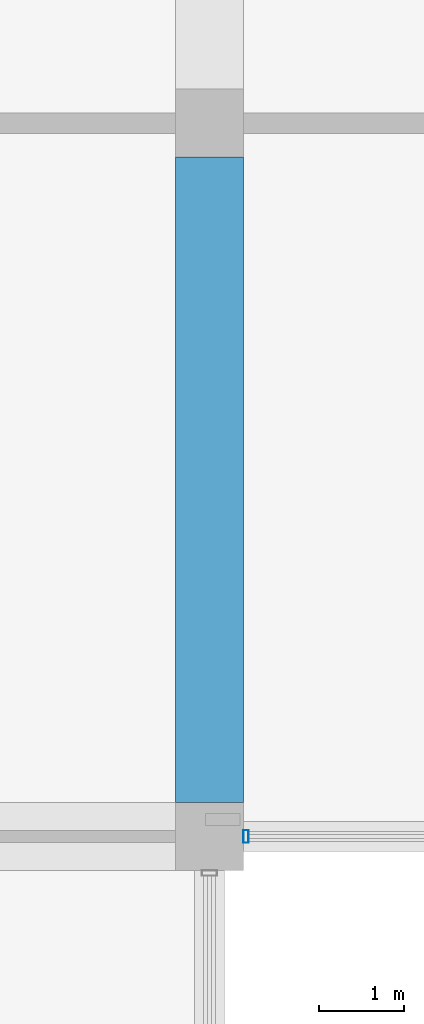
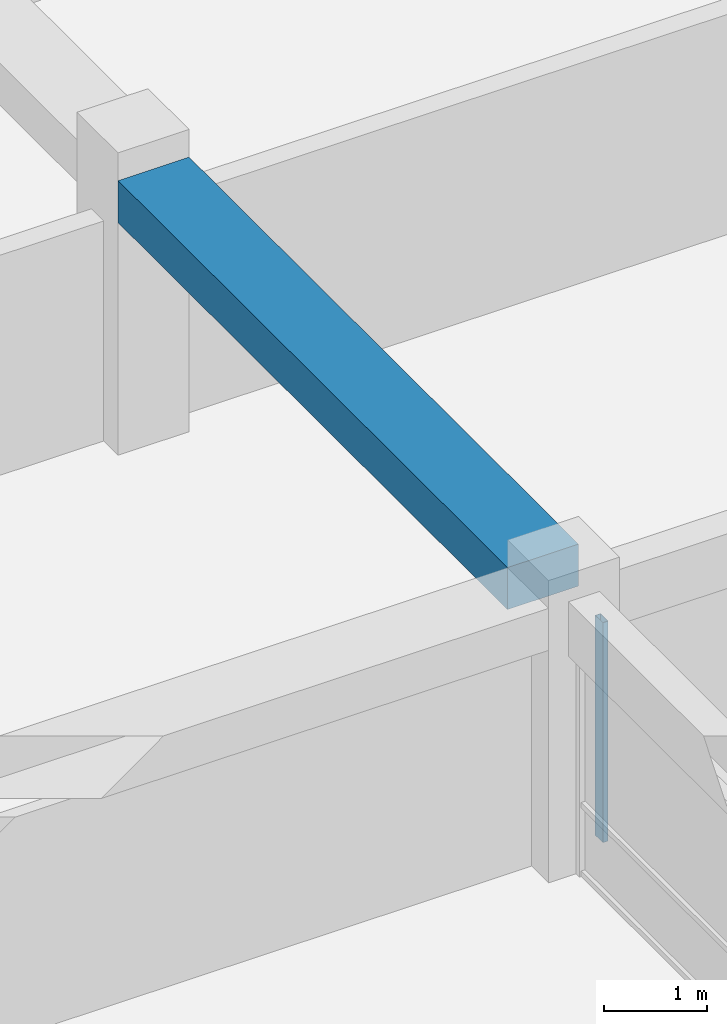
# One storey, part 11 of 50: 1 beam, 1 member, 1 element without a shape of its own.
"""IFC4 building model written with IfcOpenShell, lengths in metres."""

import ifcopenshell
import ifcopenshell.guid

model = None  # the IFC model being written
_history = None  # IfcOwnerHistory: only IFC2X3 demands one
_inside = {}  # id of a spatial element -> (the spatial element, [elements in it])
_under = {}  # id of a project, library or spatial element -> (it, [spatial elements below it])
_declared = {}  # id of a project -> (the project, [libraries it declares])
_typed = {}  # id of a type object -> (the type object, [elements of that type])
_made_of = {}  # id of a material, layer set ... -> (it, [elements and type objects made of it])


def new_model(schema):
    """Start an empty IFC model of exactly this schema.

    Asked for "IFC4X3", IfcOpenShell would pick the latest addendum, in which some entities
    have other attributes; the version numbers below select the first issue.
    IFC2X3 requires an IfcOwnerHistory on every rooted entity: one is made here for all.
    """
    global model, _history
    if schema == "IFC4X3":
        model = ifcopenshell.file(schema_version=(4, 3, 0, 0))
    else:
        model = ifcopenshell.file(schema=schema)
    _inside.clear()
    _under.clear()
    _declared.clear()
    _typed.clear()
    _made_of.clear()
    _history = None
    if model.schema == "IFC2X3":
        org = make("IfcOrganization", Name="unknown")
        user = make(
            "IfcPersonAndOrganization",
            ThePerson=make("IfcPerson", FamilyName="unknown"),
            TheOrganization=org,
        )
        app = make(
            "IfcApplication",
            ApplicationDeveloper=org,
            Version="unknown",
            ApplicationFullName="unknown",
            ApplicationIdentifier="unknown",
        )
        _history = make(
            "IfcOwnerHistory",
            OwningUser=user,
            OwningApplication=app,
            ChangeAction="ADDED",
            CreationDate=0,
        )
    return model


def make(cls, **values):
    """One entity of the class cls with the attributes given. An attribute that is None is left unset."""
    return model.create_entity(
        cls, **{name: value for name, value in values.items() if value is not None}
    )


def rooted(cls, **values):
    """An entity with a GlobalId (a new one), such as an element, a storey or a relation."""
    return make(cls, GlobalId=ifcopenshell.guid.new(), OwnerHistory=_history, **values)


def si_unit(unit_type, name, prefix=None):
    """IfcSIUnit, for example si_unit("LENGTHUNIT", "METRE", prefix="MILLI")."""
    return make("IfcSIUnit", UnitType=unit_type, Prefix=prefix, Name=name)


def assignment(units):
    """IfcUnitAssignment: the units of a project."""
    return None if units is None else make("IfcUnitAssignment", Units=units)


def point(xyz):
    """IfcCartesianPoint."""
    return None if xyz is None else make("IfcCartesianPoint", Coordinates=xyz)


def direction(xyz):
    """IfcDirection."""
    return None if xyz is None else make("IfcDirection", DirectionRatios=xyz)


def frame(location, z_axis=None, x_axis=None):
    """IfcAxis2Placement3D, a coordinate frame: its origin and axes. An axis left out is left unset."""
    return make(
        "IfcAxis2Placement3D",
        Location=point(location),
        Axis=direction(z_axis),
        RefDirection=direction(x_axis),
    )


def frame_2d(location, x_axis=None):
    """IfcAxis2Placement2D, a coordinate frame in the plane: its origin and x axis."""
    return make(
        "IfcAxis2Placement2D", Location=point(location), RefDirection=direction(x_axis)
    )


def origin():
    """The frame at (0, 0, 0) with its axes left unset."""
    return frame((0.0, 0.0, 0.0))


def origin_2d():
    """The frame at (0, 0) in the plane with its x axis left unset."""
    return frame_2d((0.0, 0.0))


def place(relative_to, where):
    """IfcLocalPlacement: puts the frame where relative to a parent placement (None: the world)."""
    return make(
        "IfcLocalPlacement", PlacementRelTo=relative_to, RelativePlacement=where
    )


def context(
    kind, dimensions, precision=None, world=None, true_north=None, identifier=None
):
    """IfcGeometricRepresentationContext, for example the 3D "Model" context."""
    return make(
        "IfcGeometricRepresentationContext",
        ContextIdentifier=identifier,
        ContextType=kind,
        CoordinateSpaceDimension=dimensions,
        Precision=precision,
        WorldCoordinateSystem=world,
        TrueNorth=true_north,
    )


def subcontext(parent, identifier, kind, view, scale=None):
    """IfcGeometricRepresentationSubContext, for example "Body" below "Model"."""
    return make(
        "IfcGeometricRepresentationSubContext",
        ContextIdentifier=identifier,
        ContextType=kind,
        ParentContext=parent,
        TargetScale=scale,
        TargetView=view,
    )


def project(units=None, contexts=None):
    """IfcProject with its units and contexts."""
    return rooted(
        "IfcProject",
        Name="project",
        RepresentationContexts=contexts,
        UnitsInContext=assignment(units),
    )


def spatial(cls, under=None, at=None, **own):
    """A site, building, storey or space (cls), placed at a placement, below another one or the project."""
    s = rooted(cls, ObjectPlacement=at, **own)
    if under is not None:
        _under.setdefault(under.id(), (under, []))[1].append(s)
    return s


def profile(cls, at=None, kind="AREA", **sizes):
    """A parametric profile (cls). Its sizes go by their IFC names, for example OverallWidth=200.0."""
    return make(cls, ProfileType=kind, Position=at, **sizes)


def rectangle(**sizes):
    """IfcRectangleProfileDef."""
    return profile("IfcRectangleProfileDef", **sizes)


def hollow_rectangle(**sizes):
    """IfcRectangleHollowProfileDef."""
    return profile("IfcRectangleHollowProfileDef", **sizes)


def extrude(swept, where, along, depth):
    """IfcExtrudedAreaSolid: the profile swept, set in the frame where, extruded along a direction by depth."""
    return make(
        "IfcExtrudedAreaSolid",
        SweptArea=swept,
        Position=where,
        ExtrudedDirection=direction(along),
        Depth=depth,
    )


def shape(context_of_items, identifier, shape_type, items):
    """IfcShapeRepresentation: the items that make up one representation, for example the "Body"."""
    return make(
        "IfcShapeRepresentation",
        ContextOfItems=context_of_items,
        RepresentationIdentifier=identifier,
        RepresentationType=shape_type,
        Items=items,
    )


def material(Name=None, Category=None):
    """IfcMaterial."""
    return make("IfcMaterial", Name=Name, Category=Category)


def material_profile(
    of_material, cross_section, Name=None, Category=None, Priority=None
):
    """IfcMaterialProfile: a cross section and its material."""
    return make(
        "IfcMaterialProfile",
        Name=Name,
        Material=of_material,
        Profile=cross_section,
        Priority=Priority,
        Category=Category,
    )


def profile_set(profiles, Name=None, composite=None):
    """IfcMaterialProfileSet."""
    return make(
        "IfcMaterialProfileSet",
        Name=Name,
        MaterialProfiles=profiles,
        CompositeProfile=composite,
    )


def made_of(thing, what):
    """Note that an element or type object is made of a material, layer set ...; save() writes the relation."""
    if what is not None:
        _made_of.setdefault(what.id(), (what, []))[1].append(thing)
    return thing


def type_object(cls, material=None, **own):
    """A type object (cls), such as IfcWallType, which elements share."""
    return made_of(rooted(cls, **own), material)


def element(
    cls,
    number,
    at=None,
    inside=None,
    cuts=None,
    type_object=None,
    material=None,
    context=None,
    identifier="Body",
    shape_type=None,
    held_by="IfcProductDefinitionShape",
    body=None,
    shapes=None,
    **own,
):
    """One element of the class cls, such as IfcWall. Its Tag is "e" and its number.

    at: its placement. inside: the storey or other place that contains it. cuts: it is an
    opening in that element (IfcRelVoidsElement). A single representation is given by context,
    identifier, shape_type and body (its items); several are given by shapes. held_by: the class
    of the entity that holds the representations. save() writes the other relations.
    """
    e = rooted(cls, Tag="e%d" % number, ObjectPlacement=at, **own)
    if body is not None:
        shapes = [shape(context, identifier, shape_type, body)]
    if shapes is not None:
        e.Representation = make(held_by, Representations=shapes)
    if inside is not None:
        _inside.setdefault(inside.id(), (inside, []))[1].append(e)
    if cuts is not None:
        rooted(
            "IfcRelVoidsElement", RelatingBuildingElement=cuts, RelatedOpeningElement=e
        )
    if type_object is not None:
        _typed.setdefault(type_object.id(), (type_object, []))[1].append(e)
    return made_of(e, material)


def aggregate(whole, parts):
    """IfcRelAggregates: a whole, such as a stair, and the parts it consists of."""
    return rooted("IfcRelAggregates", RelatingObject=whole, RelatedObjects=parts)


def save(model, path):
    """Write the relations noted so far, then the file.

    IfcRelAggregates (storeys below a building ...), IfcRelContainedInSpatialStructure (elements
    in a storey), IfcRelDefinesByType, IfcRelAssociatesMaterial and IfcRelDeclares: one each for
    every whole, place, type object, material and project.
    """
    for whole, parts in _under.values():
        aggregate(whole, parts)
    for where, things in _inside.values():
        rooted(
            "IfcRelContainedInSpatialStructure",
            RelatedElements=things,
            RelatingStructure=where,
        )
    for kind, things in _typed.values():
        rooted("IfcRelDefinesByType", RelatedObjects=things, RelatingType=kind)
    for what, things in _made_of.values():
        rooted("IfcRelAssociatesMaterial", RelatedObjects=things, RelatingMaterial=what)
    for by, libraries in _declared.values():
        rooted("IfcRelDeclares", RelatingContext=by, RelatedDefinitions=libraries)
    model.write(path)


model = new_model("IFC4")

# Units and contexts
model_context = context("Model", 3, precision=1e-05, world=origin(), true_north=direction((0.0, 1.0)))
body_context = subcontext(model_context, "Body", "Model", "MODEL_VIEW")
ifc_project = project(units=[si_unit("LENGTHUNIT", "METRE"), si_unit("AREAUNIT", "SQUARE_METRE"), si_unit("VOLUMEUNIT", "CUBIC_METRE"), si_unit("PLANEANGLEUNIT", "RADIAN"), si_unit("MASSUNIT", "GRAM", prefix="KILO"), si_unit("THERMODYNAMICTEMPERATUREUNIT", "KELVIN"), si_unit("POWERUNIT", "WATT")], contexts=[model_context])

# Site, building, storey
site_placement = place(None, origin())
site = spatial("IfcSite", under=ifc_project, at=site_placement, CompositionType="ELEMENT")
building_placement = place(site_placement, origin())
building = spatial("IfcBuilding", under=site, at=building_placement, Name="Srebrne Nadtorze General Hospital", CompositionType="ELEMENT")
storey_placement = place(building_placement, frame((0.0, 0.0, 14.39990234375)))
storey = spatial("IfcBuildingStorey", under=building, at=storey_placement, Name="L03", CompositionType="ELEMENT", Elevation=14.39990234375)

# Curtain wall, member
ifc_material_1 = material(Name="Anodised Aluminium", Category="aluminium")
curtain_wall_type = type_object("IfcCurtainWallType", Name="Unitised curtain wall 7000x2620", PredefinedType="NOTDEFINED", material=ifc_material_1)
curtain_wall_placement = place(storey_placement, origin())
curtain_wall = element("IfcCurtainWall", 1, at=curtain_wall_placement, inside=storey, type_object=curtain_wall_type, Name="Curtain wall CW-092", PredefinedType="NOTDEFINED")
ifc_material_2 = material(Name="Anodised Aluminium", Category="aluminium")
ifc_material_profile_1 = material_profile(ifc_material_2, hollow_rectangle(XDim=0.06005859375, YDim=0.14990234375, WallThickness=0.00390625, at=origin_2d()), Name="AL-MUL-60x150")
ifc_profile_set_1 = profile_set([ifc_material_profile_1], Name="Anodised Aluminium")
member_type = type_object("IfcMemberType", Name="Curtain mullion 60x150", PredefinedType="MULLION", material=ifc_profile_set_1)
member_placement = place(storey_placement, frame((117.429931640625, 25.199951171875, 0.0), z_axis=(0.0, 0.0, 1.0), x_axis=(1.0, 0.0, 0.0)))
member = element("IfcMember", 2, at=member_placement, type_object=member_type, Name="CW-092 mullion 1", PredefinedType="MULLION", context=body_context, shape_type="SweptSolid", body=[
    extrude(hollow_rectangle(XDim=0.06005859375, YDim=0.14990234375, WallThickness=0.00390625, at=origin_2d()), origin(), (0.0, 0.0, 1.0), 2.6201171875),
])
aggregate(curtain_wall, [member])

# Beam
ifc_material_3 = material(Name="Concrete C40/50", Category="concrete")
ifc_material_profile_2 = material_profile(ifc_material_3, rectangle(XDim=0.800048828125, YDim=0.5, at=origin_2d()), Name="RC-BM-800x500")
ifc_profile_set_2 = profile_set([ifc_material_profile_2], Name="Concrete C40/50")
beam_type = type_object("IfcBeamType", Name="Primary beam RC 800x500", PredefinedType="BEAM", material=ifc_profile_set_2)
beam_placement = place(storey_placement, frame((117.0, 25.60009765625, 3.02001953125), z_axis=(0.0, 1.0, 0.0), x_axis=(-1.0, 0.0, 0.0)))
element("IfcBeam", 3, at=beam_placement, inside=storey, type_object=beam_type, Name="Beam BM-L03-Y-0829", PredefinedType="BEAM", context=body_context, shape_type="SweptSolid", body=[
    extrude(rectangle(XDim=0.800048828125, YDim=0.5, at=origin_2d()), origin(), (0.0, 0.0, 1.0), 7.599853515625),
])

save(model, "model.ifc")
